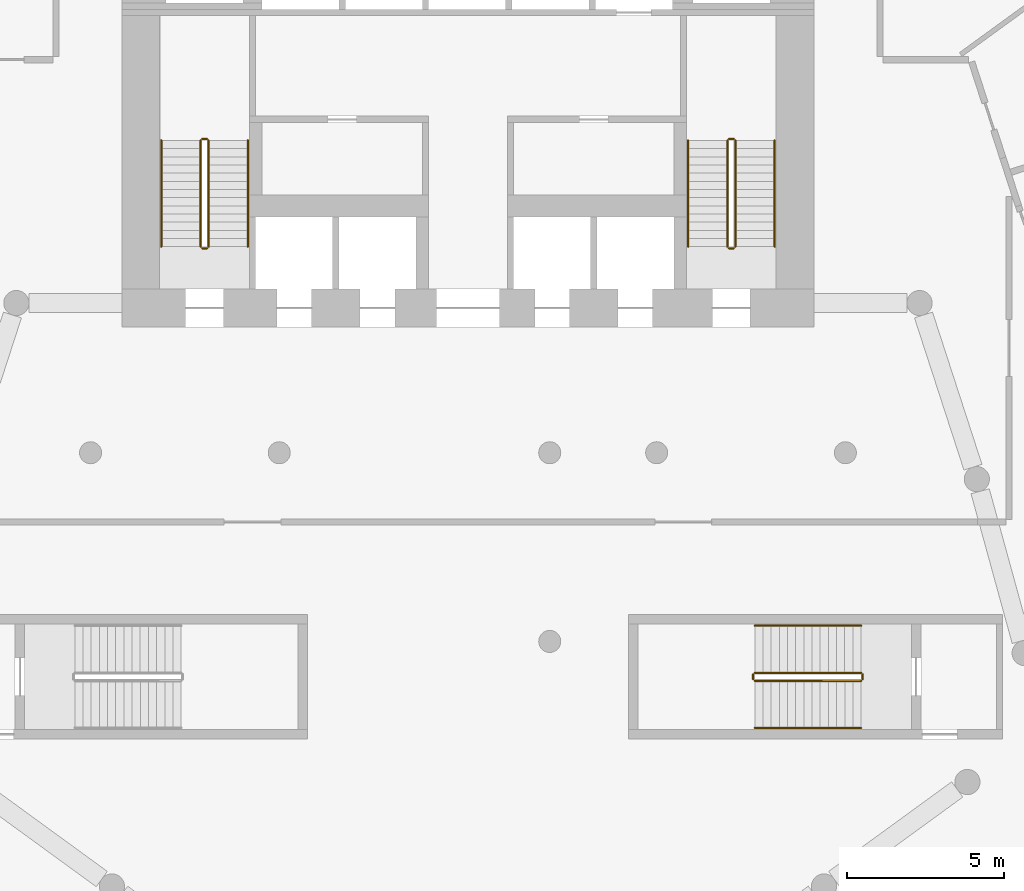
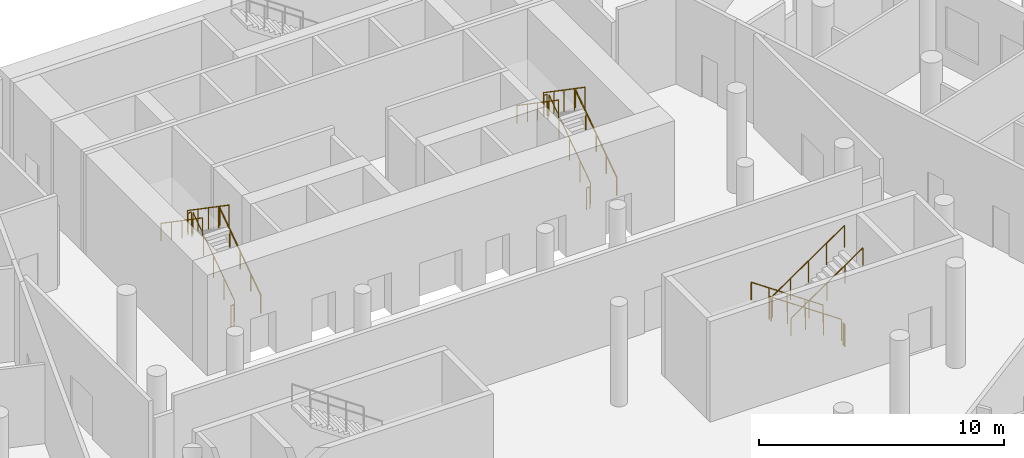
# One storey, part 17 of 19: 18 railings.
"""IFC4 building model written with IfcOpenShell, lengths in metres."""

from ifc_helpers import new_model, si_unit, direction, frame, origin, origin_2d, place, context, subcontext, project, spatial, circle, extrude, material, type_object, element, save


model = new_model("IFC4")

# Units and contexts
model_context = context("Model", 3, precision=1e-05, world=origin(), true_north=direction((0.0, 1.0)))
body_context = subcontext(model_context, "Body", "Model", "MODEL_VIEW")
ifc_project = project(units=[si_unit("LENGTHUNIT", "METRE"), si_unit("AREAUNIT", "SQUARE_METRE"), si_unit("VOLUMEUNIT", "CUBIC_METRE"), si_unit("PLANEANGLEUNIT", "RADIAN"), si_unit("MASSUNIT", "GRAM", prefix="KILO")], contexts=[model_context])

# Site, building, storey
site_placement = place(None, origin())
site = spatial("IfcSite", under=ifc_project, at=site_placement, CompositionType="ELEMENT")
building_placement = place(site_placement, origin())
building = spatial("IfcBuilding", under=site, at=building_placement, Name="White Candle Pilgrim Tower", CompositionType="ELEMENT")
storey_placement = place(building_placement, frame((0.0, 0.0, 29.0)))
storey = spatial("IfcBuildingStorey", under=building, at=storey_placement, Name="L04", CompositionType="ELEMENT", Elevation=29.0)

# Railings
ifc_material = material(Name="Stainless steel", Category="steel")
railing_type_1 = type_object("IfcRailingType", Name="Stair guard stainless steel 1100 mm", PredefinedType="GUARDRAIL", material=ifc_material)
railing_1_placement = place(storey_placement, frame((61.75, 73.550048828125, 0.178466796875)))
element("IfcRailing", 1, at=railing_1_placement, inside=storey, type_object=railing_type_1, Name="L04 ST1 stair guard 1", PredefinedType="GUARDRAIL", context=body_context, shape_type="SweptSolid", body=[
    extrude(circle(Radius=0.02392578125, at=origin_2d()), frame((0.0, 0.0, 1.076171875), z_axis=(0.0, 0.824285065979, 0.566174999451), x_axis=(-1.0, 0.0, 0.0)), (0.0, 0.0, 1.0), 4.100341796875),
    extrude(circle(Radius=0.02099609375, at=origin_2d()), origin(), (0.0, 0.0, 1.0), 1.052001953125),
    extrude(circle(Radius=0.02099609375, at=origin_2d()), frame((0.0, 0.844970703125, 0.580322265625)), (0.0, 0.0, 1.0), 1.052001953125),
    extrude(circle(Radius=0.02099609375, at=origin_2d()), frame((0.0, 1.68994140625, 1.16064453125)), (0.0, 0.0, 1.0), 1.052001953125),
    extrude(circle(Radius=0.02099609375, at=origin_2d()), frame((0.0, 2.534912109375, 1.7412109375)), (0.0, 0.0, 1.0), 1.052001953125),
    extrude(circle(Radius=0.02099609375, at=origin_2d()), frame((0.0, 3.3798828125, 2.321533203125)), (0.0, 0.0, 1.0), 1.052001953125),
])
railing_2_placement = place(storey_placement, frame((61.699951171875, 76.97998046875, 2.5)))
element("IfcRailing", 2, at=railing_2_placement, inside=storey, type_object=railing_type_1, Name="L04 ST1 stair guard 2", PredefinedType="GUARDRAIL", context=body_context, shape_type="SweptSolid", body=[
    extrude(circle(Radius=0.02392578125, at=origin_2d()), frame((0.0, 0.0, 1.076171875), z_axis=(-1.0, 0.0, 0.0), x_axis=(0.0, -1.0, 0.0)), (0.0, 0.0, 1.0), 0.14990234375),
    extrude(circle(Radius=0.02099609375, at=origin_2d()), origin(), (0.0, 0.0, 1.0), 1.052001953125),
    extrude(circle(Radius=0.02099609375, at=origin_2d()), frame((-0.14990234375, 0.0, 0.0)), (0.0, 0.0, 1.0), 1.052001953125),
])
railing_3_placement = place(storey_placement, frame((61.5, 76.929931640625, 2.678466796875)))
element("IfcRailing", 3, at=railing_3_placement, inside=storey, type_object=railing_type_1, Name="L04 ST1 stair guard 3", PredefinedType="GUARDRAIL", context=body_context, shape_type="SweptSolid", body=[
    extrude(circle(Radius=0.02392578125, at=origin_2d()), frame((0.0, 0.0, 1.076171875), z_axis=(0.0, -0.824285065979, 0.566174999451), x_axis=(1.0, 0.0, 0.0)), (0.0, 0.0, 1.0), 4.100341796875),
    extrude(circle(Radius=0.02099609375, at=origin_2d()), origin(), (0.0, 0.0, 1.0), 1.052001953125),
    extrude(circle(Radius=0.02099609375, at=origin_2d()), frame((0.0, -0.844970703125, 0.580322265625)), (0.0, 0.0, 1.0), 1.052001953125),
    extrude(circle(Radius=0.02099609375, at=origin_2d()), frame((0.0, -1.68994140625, 1.16064453125)), (0.0, 0.0, 1.0), 1.052001953125),
    extrude(circle(Radius=0.02099609375, at=origin_2d()), frame((0.0, -2.534912109375, 1.7412109375)), (0.0, 0.0, 1.0), 1.052001953125),
    extrude(circle(Radius=0.02099609375, at=origin_2d()), frame((0.0, -3.3798828125, 2.321533203125)), (0.0, 0.0, 1.0), 1.052001953125),
])
railing_4_placement = place(storey_placement, frame((61.699951171875, 73.5, 0.0)))
element("IfcRailing", 4, at=railing_4_placement, inside=storey, type_object=railing_type_1, Name="L04 ST1 stair guard 4", PredefinedType="GUARDRAIL", context=body_context, shape_type="SweptSolid", body=[
    extrude(circle(Radius=0.02392578125, at=origin_2d()), frame((0.0, 0.0, 1.076171875), z_axis=(-1.0, 0.0, 0.0), x_axis=(0.0, -1.0, 0.0)), (0.0, 0.0, 1.0), 0.14990234375),
    extrude(circle(Radius=0.02099609375, at=origin_2d()), origin(), (0.0, 0.0, 1.0), 1.052001953125),
    extrude(circle(Radius=0.02099609375, at=origin_2d()), frame((-0.14990234375, 0.0, 0.0)), (0.0, 0.0, 1.0), 1.052001953125),
])
railing_5_placement = place(storey_placement, frame((78.5, 73.550048828125, 0.178466796875)))
element("IfcRailing", 5, at=railing_5_placement, inside=storey, type_object=railing_type_1, Name="L04 ST2 stair guard 1", PredefinedType="GUARDRAIL", context=body_context, shape_type="SweptSolid", body=[
    extrude(circle(Radius=0.02392578125, at=origin_2d()), frame((0.0, 0.0, 1.076171875), z_axis=(0.0, 0.824285065979, 0.566174999451), x_axis=(-1.0, 0.0, 0.0)), (0.0, 0.0, 1.0), 4.100341796875),
    extrude(circle(Radius=0.02099609375, at=origin_2d()), origin(), (0.0, 0.0, 1.0), 1.052001953125),
    extrude(circle(Radius=0.02099609375, at=origin_2d()), frame((0.0, 0.844970703125, 0.580322265625)), (0.0, 0.0, 1.0), 1.052001953125),
    extrude(circle(Radius=0.02099609375, at=origin_2d()), frame((0.0, 1.68994140625, 1.16064453125)), (0.0, 0.0, 1.0), 1.052001953125),
    extrude(circle(Radius=0.02099609375, at=origin_2d()), frame((0.0, 2.534912109375, 1.7412109375)), (0.0, 0.0, 1.0), 1.052001953125),
    extrude(circle(Radius=0.02099609375, at=origin_2d()), frame((0.0, 3.3798828125, 2.321533203125)), (0.0, 0.0, 1.0), 1.052001953125),
])
railing_6_placement = place(storey_placement, frame((78.449951171875, 76.97998046875, 2.5)))
element("IfcRailing", 6, at=railing_6_placement, inside=storey, type_object=railing_type_1, Name="L04 ST2 stair guard 2", PredefinedType="GUARDRAIL", context=body_context, shape_type="SweptSolid", body=[
    extrude(circle(Radius=0.02392578125, at=origin_2d()), frame((0.0, 0.0, 1.076171875), z_axis=(-1.0, 0.0, 0.0), x_axis=(0.0, -1.0, 0.0)), (0.0, 0.0, 1.0), 0.14990234375),
    extrude(circle(Radius=0.02099609375, at=origin_2d()), origin(), (0.0, 0.0, 1.0), 1.052001953125),
    extrude(circle(Radius=0.02099609375, at=origin_2d()), frame((-0.14990234375, 0.0, 0.0)), (0.0, 0.0, 1.0), 1.052001953125),
])
railing_7_placement = place(storey_placement, frame((78.25, 76.929931640625, 2.678466796875)))
element("IfcRailing", 7, at=railing_7_placement, inside=storey, type_object=railing_type_1, Name="L04 ST2 stair guard 3", PredefinedType="GUARDRAIL", context=body_context, shape_type="SweptSolid", body=[
    extrude(circle(Radius=0.02392578125, at=origin_2d()), frame((0.0, 0.0, 1.076171875), z_axis=(0.0, -0.824285065979, 0.566174999451), x_axis=(1.0, 0.0, 0.0)), (0.0, 0.0, 1.0), 4.100341796875),
    extrude(circle(Radius=0.02099609375, at=origin_2d()), origin(), (0.0, 0.0, 1.0), 1.052001953125),
    extrude(circle(Radius=0.02099609375, at=origin_2d()), frame((0.0, -0.844970703125, 0.580322265625)), (0.0, 0.0, 1.0), 1.052001953125),
    extrude(circle(Radius=0.02099609375, at=origin_2d()), frame((0.0, -1.68994140625, 1.16064453125)), (0.0, 0.0, 1.0), 1.052001953125),
    extrude(circle(Radius=0.02099609375, at=origin_2d()), frame((0.0, -2.534912109375, 1.7412109375)), (0.0, 0.0, 1.0), 1.052001953125),
    extrude(circle(Radius=0.02099609375, at=origin_2d()), frame((0.0, -3.3798828125, 2.321533203125)), (0.0, 0.0, 1.0), 1.052001953125),
])
railing_8_placement = place(storey_placement, frame((78.449951171875, 73.5, 0.0)))
element("IfcRailing", 8, at=railing_8_placement, inside=storey, type_object=railing_type_1, Name="L04 ST2 stair guard 4", PredefinedType="GUARDRAIL", context=body_context, shape_type="SweptSolid", body=[
    extrude(circle(Radius=0.02392578125, at=origin_2d()), frame((0.0, 0.0, 1.076171875), z_axis=(-1.0, 0.0, 0.0), x_axis=(0.0, -1.0, 0.0)), (0.0, 0.0, 1.0), 0.14990234375),
    extrude(circle(Radius=0.02099609375, at=origin_2d()), origin(), (0.0, 0.0, 1.0), 1.052001953125),
    extrude(circle(Radius=0.02099609375, at=origin_2d()), frame((-0.14990234375, 0.0, 0.0)), (0.0, 0.0, 1.0), 1.052001953125),
])
railing_9_placement = place(storey_placement, frame((82.5, 60.0, 0.178466796875)))
element("IfcRailing", 9, at=railing_9_placement, inside=storey, type_object=railing_type_1, Name="L04 ST4 stair guard 1", PredefinedType="GUARDRAIL", context=body_context, shape_type="SweptSolid", body=[
    extrude(circle(Radius=0.02392578125, at=origin_2d()), frame((0.0, 0.0, 1.076171875), z_axis=(-0.824285065979, 0.0, 0.566174999451), x_axis=(0.0, -1.0, 0.0)), (0.0, 0.0, 1.0), 4.100341796875),
    extrude(circle(Radius=0.02099609375, at=origin_2d()), origin(), (0.0, 0.0, 1.0), 1.052001953125),
    extrude(circle(Radius=0.02099609375, at=origin_2d()), frame((-0.844970703125, 0.0, 0.580322265625)), (0.0, 0.0, 1.0), 1.052001953125),
    extrude(circle(Radius=0.02099609375, at=origin_2d()), frame((-1.68994140625, 0.0, 1.16064453125)), (0.0, 0.0, 1.0), 1.052001953125),
    extrude(circle(Radius=0.02099609375, at=origin_2d()), frame((-2.534912109375, 0.0, 1.7412109375)), (0.0, 0.0, 1.0), 1.052001953125),
    extrude(circle(Radius=0.02099609375, at=origin_2d()), frame((-3.3798828125, 0.0, 2.321533203125)), (0.0, 0.0, 1.0), 1.052001953125),
])
railing_10_placement = place(storey_placement, frame((79.070068359375, 59.949951171875, 2.5)))
element("IfcRailing", 10, at=railing_10_placement, inside=storey, type_object=railing_type_1, Name="L04 ST4 stair guard 2", PredefinedType="GUARDRAIL", context=body_context, shape_type="SweptSolid", body=[
    extrude(circle(Radius=0.02392578125, at=origin_2d()), frame((0.0, 0.0, 1.076171875), z_axis=(0.0, -1.0, 0.0), x_axis=(1.0, 0.0, 0.0)), (0.0, 0.0, 1.0), 0.14990234375),
    extrude(circle(Radius=0.02099609375, at=origin_2d()), origin(), (0.0, 0.0, 1.0), 1.052001953125),
    extrude(circle(Radius=0.02099609375, at=origin_2d()), frame((0.0, -0.14990234375, 0.0)), (0.0, 0.0, 1.0), 1.052001953125),
])
railing_11_placement = place(storey_placement, frame((79.1201171875, 59.75, 2.678466796875)))
element("IfcRailing", 11, at=railing_11_placement, inside=storey, type_object=railing_type_1, Name="L04 ST4 stair guard 3", PredefinedType="GUARDRAIL", context=body_context, shape_type="SweptSolid", body=[
    extrude(circle(Radius=0.02392578125, at=origin_2d()), frame((0.0, 0.0, 1.076171875), z_axis=(0.824285065979, 0.0, 0.566174999451), x_axis=(0.0, 1.0, 0.0)), (0.0, 0.0, 1.0), 4.100341796875),
    extrude(circle(Radius=0.02099609375, at=origin_2d()), origin(), (0.0, 0.0, 1.0), 1.052001953125),
    extrude(circle(Radius=0.02099609375, at=origin_2d()), frame((0.844970703125, 0.0, 0.580322265625)), (0.0, 0.0, 1.0), 1.052001953125),
    extrude(circle(Radius=0.02099609375, at=origin_2d()), frame((1.68994140625, 0.0, 1.16064453125)), (0.0, 0.0, 1.0), 1.052001953125),
    extrude(circle(Radius=0.02099609375, at=origin_2d()), frame((2.534912109375, 0.0, 1.7412109375)), (0.0, 0.0, 1.0), 1.052001953125),
    extrude(circle(Radius=0.02099609375, at=origin_2d()), frame((3.3798828125, 0.0, 2.321533203125)), (0.0, 0.0, 1.0), 1.052001953125),
])
railing_12_placement = place(storey_placement, frame((82.550048828125, 59.949951171875, 0.0)))
element("IfcRailing", 12, at=railing_12_placement, inside=storey, type_object=railing_type_1, Name="L04 ST4 stair guard 4", PredefinedType="GUARDRAIL", context=body_context, shape_type="SweptSolid", body=[
    extrude(circle(Radius=0.02392578125, at=origin_2d()), frame((0.0, 0.0, 1.076171875), z_axis=(0.0, -1.0, 0.0), x_axis=(1.0, 0.0, 0.0)), (0.0, 0.0, 1.0), 0.14990234375),
    extrude(circle(Radius=0.02099609375, at=origin_2d()), origin(), (0.0, 0.0, 1.0), 1.052001953125),
    extrude(circle(Radius=0.02099609375, at=origin_2d()), frame((0.0, -0.14990234375, 0.0)), (0.0, 0.0, 1.0), 1.052001953125),
])
railing_type_2 = type_object("IfcRailingType", Name="Stair handrail stainless steel", PredefinedType="HANDRAIL", material=ifc_material)
railing_13_placement = place(storey_placement, frame((63.0, 73.550048828125, 0.178466796875)))
element("IfcRailing", 13, at=railing_13_placement, inside=storey, type_object=railing_type_2, Name="L04 ST1 stair handrail 1", PredefinedType="HANDRAIL", context=body_context, shape_type="SweptSolid", body=[
    extrude(circle(Radius=0.02392578125, at=origin_2d()), frame((0.0, 0.0, 0.8759765625), z_axis=(0.0, 0.824285065979, 0.566174999451), x_axis=(-1.0, 0.0, 0.0)), (0.0, 0.0, 1.0), 4.100341796875),
    extrude(circle(Radius=0.02099609375, at=origin_2d()), origin(), (0.0, 0.0, 1.0), 0.851806640625),
    extrude(circle(Radius=0.02099609375, at=origin_2d()), frame((0.0, 0.844970703125, 0.580322265625)), (0.0, 0.0, 1.0), 0.851806640625),
    extrude(circle(Radius=0.02099609375, at=origin_2d()), frame((0.0, 1.68994140625, 1.16064453125)), (0.0, 0.0, 1.0), 0.851806640625),
    extrude(circle(Radius=0.02099609375, at=origin_2d()), frame((0.0, 2.534912109375, 1.7412109375)), (0.0, 0.0, 1.0), 0.851806640625),
    extrude(circle(Radius=0.02099609375, at=origin_2d()), frame((0.0, 3.3798828125, 2.321533203125)), (0.0, 0.0, 1.0), 0.851806640625),
])
railing_14_placement = place(storey_placement, frame((60.25, 76.929931640625, 2.678466796875)))
element("IfcRailing", 14, at=railing_14_placement, inside=storey, type_object=railing_type_2, Name="L04 ST1 stair handrail 2", PredefinedType="HANDRAIL", context=body_context, shape_type="SweptSolid", body=[
    extrude(circle(Radius=0.02392578125, at=origin_2d()), frame((0.0, 0.0, 0.8759765625), z_axis=(0.0, -0.824285065979, 0.566174999451), x_axis=(1.0, 0.0, 0.0)), (0.0, 0.0, 1.0), 4.100341796875),
    extrude(circle(Radius=0.02099609375, at=origin_2d()), origin(), (0.0, 0.0, 1.0), 0.851806640625),
    extrude(circle(Radius=0.02099609375, at=origin_2d()), frame((0.0, -0.844970703125, 0.580322265625)), (0.0, 0.0, 1.0), 0.851806640625),
    extrude(circle(Radius=0.02099609375, at=origin_2d()), frame((0.0, -1.68994140625, 1.16064453125)), (0.0, 0.0, 1.0), 0.851806640625),
    extrude(circle(Radius=0.02099609375, at=origin_2d()), frame((0.0, -2.534912109375, 1.7412109375)), (0.0, 0.0, 1.0), 0.851806640625),
    extrude(circle(Radius=0.02099609375, at=origin_2d()), frame((0.0, -3.3798828125, 2.321533203125)), (0.0, 0.0, 1.0), 0.851806640625),
])
railing_15_placement = place(storey_placement, frame((79.75, 73.550048828125, 0.178466796875)))
element("IfcRailing", 15, at=railing_15_placement, inside=storey, type_object=railing_type_2, Name="L04 ST2 stair handrail 1", PredefinedType="HANDRAIL", context=body_context, shape_type="SweptSolid", body=[
    extrude(circle(Radius=0.02392578125, at=origin_2d()), frame((0.0, 0.0, 0.8759765625), z_axis=(0.0, 0.824285065979, 0.566174999451), x_axis=(-1.0, 0.0, 0.0)), (0.0, 0.0, 1.0), 4.100341796875),
    extrude(circle(Radius=0.02099609375, at=origin_2d()), origin(), (0.0, 0.0, 1.0), 0.851806640625),
    extrude(circle(Radius=0.02099609375, at=origin_2d()), frame((0.0, 0.844970703125, 0.580322265625)), (0.0, 0.0, 1.0), 0.851806640625),
    extrude(circle(Radius=0.02099609375, at=origin_2d()), frame((0.0, 1.68994140625, 1.16064453125)), (0.0, 0.0, 1.0), 0.851806640625),
    extrude(circle(Radius=0.02099609375, at=origin_2d()), frame((0.0, 2.534912109375, 1.7412109375)), (0.0, 0.0, 1.0), 0.851806640625),
    extrude(circle(Radius=0.02099609375, at=origin_2d()), frame((0.0, 3.3798828125, 2.321533203125)), (0.0, 0.0, 1.0), 0.851806640625),
])
railing_16_placement = place(storey_placement, frame((77.0, 76.929931640625, 2.678466796875)))
element("IfcRailing", 16, at=railing_16_placement, inside=storey, type_object=railing_type_2, Name="L04 ST2 stair handrail 2", PredefinedType="HANDRAIL", context=body_context, shape_type="SweptSolid", body=[
    extrude(circle(Radius=0.02392578125, at=origin_2d()), frame((0.0, 0.0, 0.8759765625), z_axis=(0.0, -0.824285065979, 0.566174999451), x_axis=(1.0, 0.0, 0.0)), (0.0, 0.0, 1.0), 4.100341796875),
    extrude(circle(Radius=0.02099609375, at=origin_2d()), origin(), (0.0, 0.0, 1.0), 0.851806640625),
    extrude(circle(Radius=0.02099609375, at=origin_2d()), frame((0.0, -0.844970703125, 0.580322265625)), (0.0, 0.0, 1.0), 0.851806640625),
    extrude(circle(Radius=0.02099609375, at=origin_2d()), frame((0.0, -1.68994140625, 1.16064453125)), (0.0, 0.0, 1.0), 0.851806640625),
    extrude(circle(Radius=0.02099609375, at=origin_2d()), frame((0.0, -2.534912109375, 1.7412109375)), (0.0, 0.0, 1.0), 0.851806640625),
    extrude(circle(Radius=0.02099609375, at=origin_2d()), frame((0.0, -3.3798828125, 2.321533203125)), (0.0, 0.0, 1.0), 0.851806640625),
])
railing_17_placement = place(storey_placement, frame((82.5, 61.5, 0.178466796875)))
element("IfcRailing", 17, at=railing_17_placement, inside=storey, type_object=railing_type_2, Name="L04 ST4 stair handrail 1", PredefinedType="HANDRAIL", context=body_context, shape_type="SweptSolid", body=[
    extrude(circle(Radius=0.02392578125, at=origin_2d()), frame((0.0, 0.0, 0.8759765625), z_axis=(-0.824285065979, 0.0, 0.566174999451), x_axis=(0.0, -1.0, 0.0)), (0.0, 0.0, 1.0), 4.100341796875),
    extrude(circle(Radius=0.02099609375, at=origin_2d()), origin(), (0.0, 0.0, 1.0), 0.851806640625),
    extrude(circle(Radius=0.02099609375, at=origin_2d()), frame((-0.844970703125, 0.0, 0.580322265625)), (0.0, 0.0, 1.0), 0.851806640625),
    extrude(circle(Radius=0.02099609375, at=origin_2d()), frame((-1.68994140625, 0.0, 1.16064453125)), (0.0, 0.0, 1.0), 0.851806640625),
    extrude(circle(Radius=0.02099609375, at=origin_2d()), frame((-2.534912109375, 0.0, 1.7412109375)), (0.0, 0.0, 1.0), 0.851806640625),
    extrude(circle(Radius=0.02099609375, at=origin_2d()), frame((-3.3798828125, 0.0, 2.321533203125)), (0.0, 0.0, 1.0), 0.851806640625),
])
railing_18_placement = place(storey_placement, frame((79.1201171875, 58.25, 2.678466796875)))
element("IfcRailing", 18, at=railing_18_placement, inside=storey, type_object=railing_type_2, Name="L04 ST4 stair handrail 2", PredefinedType="HANDRAIL", context=body_context, shape_type="SweptSolid", body=[
    extrude(circle(Radius=0.02392578125, at=origin_2d()), frame((0.0, 0.0, 0.8759765625), z_axis=(0.824285065979, 0.0, 0.566174999451), x_axis=(0.0, 1.0, 0.0)), (0.0, 0.0, 1.0), 4.100341796875),
    extrude(circle(Radius=0.02099609375, at=origin_2d()), origin(), (0.0, 0.0, 1.0), 0.851806640625),
    extrude(circle(Radius=0.02099609375, at=origin_2d()), frame((0.844970703125, 0.0, 0.580322265625)), (0.0, 0.0, 1.0), 0.851806640625),
    extrude(circle(Radius=0.02099609375, at=origin_2d()), frame((1.68994140625, 0.0, 1.16064453125)), (0.0, 0.0, 1.0), 0.851806640625),
    extrude(circle(Radius=0.02099609375, at=origin_2d()), frame((2.534912109375, 0.0, 1.7412109375)), (0.0, 0.0, 1.0), 0.851806640625),
    extrude(circle(Radius=0.02099609375, at=origin_2d()), frame((3.3798828125, 0.0, 2.321533203125)), (0.0, 0.0, 1.0), 0.851806640625),
])

save(model, "model.ifc")
